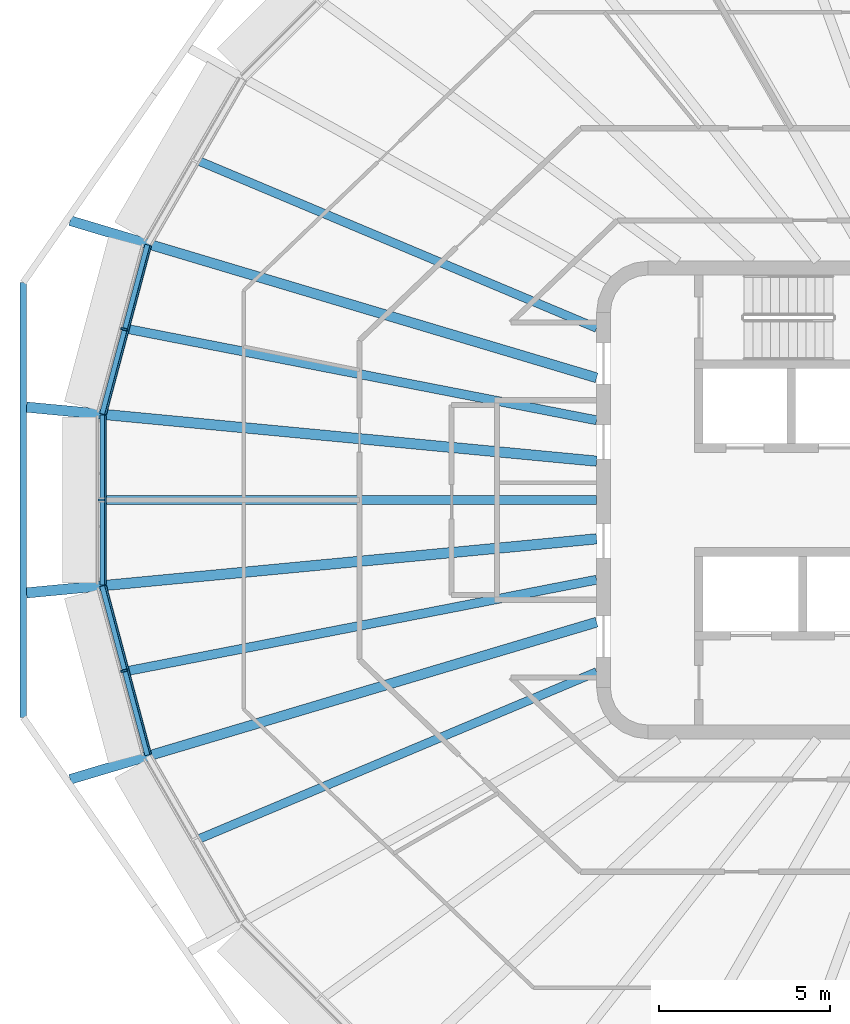
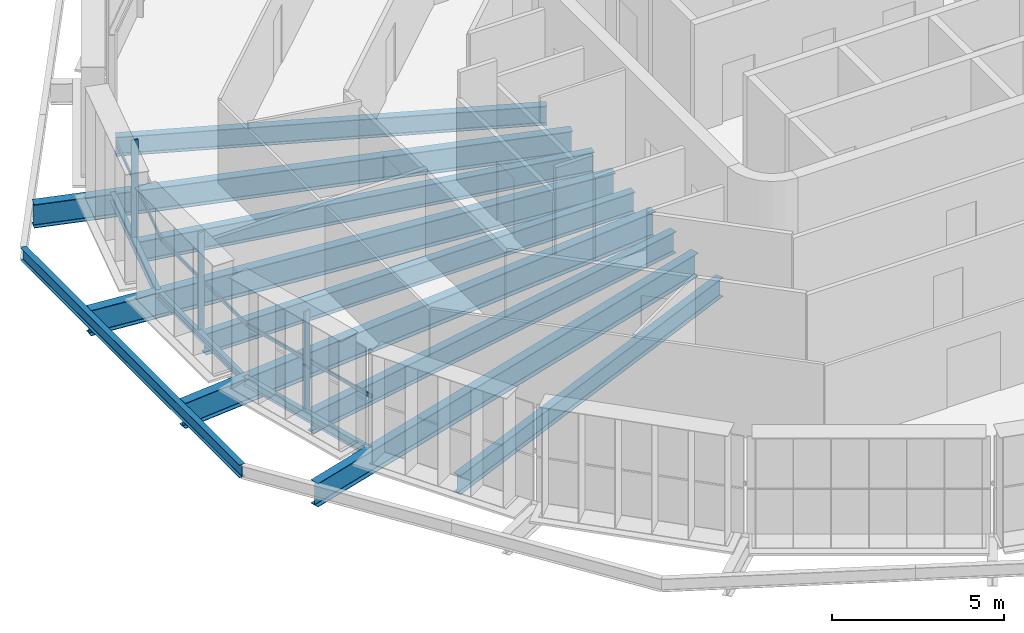
# One storey, part 3 of 21: 13 beams, 6 members, 3 elements without a shape of their own.
"""IFC4 building model written with IfcOpenShell, lengths in metres."""

import ifcopenshell
import ifcopenshell.guid

model = None  # the IFC model being written
_history = None  # IfcOwnerHistory: only IFC2X3 demands one
_inside = {}  # id of a spatial element -> (the spatial element, [elements in it])
_under = {}  # id of a project, library or spatial element -> (it, [spatial elements below it])
_declared = {}  # id of a project -> (the project, [libraries it declares])
_typed = {}  # id of a type object -> (the type object, [elements of that type])
_made_of = {}  # id of a material, layer set ... -> (it, [elements and type objects made of it])


def new_model(schema):
    """Start an empty IFC model of exactly this schema.

    Asked for "IFC4X3", IfcOpenShell would pick the latest addendum, in which some entities
    have other attributes; the version numbers below select the first issue.
    IFC2X3 requires an IfcOwnerHistory on every rooted entity: one is made here for all.
    """
    global model, _history
    if schema == "IFC4X3":
        model = ifcopenshell.file(schema_version=(4, 3, 0, 0))
    else:
        model = ifcopenshell.file(schema=schema)
    _inside.clear()
    _under.clear()
    _declared.clear()
    _typed.clear()
    _made_of.clear()
    _history = None
    if model.schema == "IFC2X3":
        org = make("IfcOrganization", Name="unknown")
        user = make(
            "IfcPersonAndOrganization",
            ThePerson=make("IfcPerson", FamilyName="unknown"),
            TheOrganization=org,
        )
        app = make(
            "IfcApplication",
            ApplicationDeveloper=org,
            Version="unknown",
            ApplicationFullName="unknown",
            ApplicationIdentifier="unknown",
        )
        _history = make(
            "IfcOwnerHistory",
            OwningUser=user,
            OwningApplication=app,
            ChangeAction="ADDED",
            CreationDate=0,
        )
    return model


def make(cls, **values):
    """One entity of the class cls with the attributes given. An attribute that is None is left unset."""
    return model.create_entity(
        cls, **{name: value for name, value in values.items() if value is not None}
    )


def rooted(cls, **values):
    """An entity with a GlobalId (a new one), such as an element, a storey or a relation."""
    return make(cls, GlobalId=ifcopenshell.guid.new(), OwnerHistory=_history, **values)


def si_unit(unit_type, name, prefix=None):
    """IfcSIUnit, for example si_unit("LENGTHUNIT", "METRE", prefix="MILLI")."""
    return make("IfcSIUnit", UnitType=unit_type, Prefix=prefix, Name=name)


def assignment(units):
    """IfcUnitAssignment: the units of a project."""
    return None if units is None else make("IfcUnitAssignment", Units=units)


def point(xyz):
    """IfcCartesianPoint."""
    return None if xyz is None else make("IfcCartesianPoint", Coordinates=xyz)


def direction(xyz):
    """IfcDirection."""
    return None if xyz is None else make("IfcDirection", DirectionRatios=xyz)


def frame(location, z_axis=None, x_axis=None):
    """IfcAxis2Placement3D, a coordinate frame: its origin and axes. An axis left out is left unset."""
    return make(
        "IfcAxis2Placement3D",
        Location=point(location),
        Axis=direction(z_axis),
        RefDirection=direction(x_axis),
    )


def frame_2d(location, x_axis=None):
    """IfcAxis2Placement2D, a coordinate frame in the plane: its origin and x axis."""
    return make(
        "IfcAxis2Placement2D", Location=point(location), RefDirection=direction(x_axis)
    )


def origin():
    """The frame at (0, 0, 0) with its axes left unset."""
    return frame((0.0, 0.0, 0.0))


def origin_2d():
    """The frame at (0, 0) in the plane with its x axis left unset."""
    return frame_2d((0.0, 0.0))


def place(relative_to, where):
    """IfcLocalPlacement: puts the frame where relative to a parent placement (None: the world)."""
    return make(
        "IfcLocalPlacement", PlacementRelTo=relative_to, RelativePlacement=where
    )


def context(
    kind, dimensions, precision=None, world=None, true_north=None, identifier=None
):
    """IfcGeometricRepresentationContext, for example the 3D "Model" context."""
    return make(
        "IfcGeometricRepresentationContext",
        ContextIdentifier=identifier,
        ContextType=kind,
        CoordinateSpaceDimension=dimensions,
        Precision=precision,
        WorldCoordinateSystem=world,
        TrueNorth=true_north,
    )


def subcontext(parent, identifier, kind, view, scale=None):
    """IfcGeometricRepresentationSubContext, for example "Body" below "Model"."""
    return make(
        "IfcGeometricRepresentationSubContext",
        ContextIdentifier=identifier,
        ContextType=kind,
        ParentContext=parent,
        TargetScale=scale,
        TargetView=view,
    )


def project(units=None, contexts=None):
    """IfcProject with its units and contexts."""
    return rooted(
        "IfcProject",
        Name="project",
        RepresentationContexts=contexts,
        UnitsInContext=assignment(units),
    )


def spatial(cls, under=None, at=None, **own):
    """A site, building, storey or space (cls), placed at a placement, below another one or the project."""
    s = rooted(cls, ObjectPlacement=at, **own)
    if under is not None:
        _under.setdefault(under.id(), (under, []))[1].append(s)
    return s


def profile(cls, at=None, kind="AREA", **sizes):
    """A parametric profile (cls). Its sizes go by their IFC names, for example OverallWidth=200.0."""
    return make(cls, ProfileType=kind, Position=at, **sizes)


def rectangle(**sizes):
    """IfcRectangleProfileDef."""
    return profile("IfcRectangleProfileDef", **sizes)


def i_section(**sizes):
    """IfcIShapeProfileDef."""
    return profile("IfcIShapeProfileDef", **sizes)


def extrude(swept, where, along, depth):
    """IfcExtrudedAreaSolid: the profile swept, set in the frame where, extruded along a direction by depth."""
    return make(
        "IfcExtrudedAreaSolid",
        SweptArea=swept,
        Position=where,
        ExtrudedDirection=direction(along),
        Depth=depth,
    )


def shape(context_of_items, identifier, shape_type, items):
    """IfcShapeRepresentation: the items that make up one representation, for example the "Body"."""
    return make(
        "IfcShapeRepresentation",
        ContextOfItems=context_of_items,
        RepresentationIdentifier=identifier,
        RepresentationType=shape_type,
        Items=items,
    )


def material(Name=None, Category=None):
    """IfcMaterial."""
    return make("IfcMaterial", Name=Name, Category=Category)


def layer(
    of_material, thickness, ventilated=None, Name=None, Category=None, Priority=None
):
    """IfcMaterialLayer: one layer of a wall or slab, of a material (None: an air gap)."""
    return make(
        "IfcMaterialLayer",
        Material=of_material,
        LayerThickness=thickness,
        IsVentilated=ventilated,
        Name=Name,
        Category=Category,
        Priority=Priority,
    )


def layer_set(layers, Name=None):
    """IfcMaterialLayerSet."""
    return make("IfcMaterialLayerSet", MaterialLayers=layers, LayerSetName=Name)


def material_profile(
    of_material, cross_section, Name=None, Category=None, Priority=None
):
    """IfcMaterialProfile: a cross section and its material."""
    return make(
        "IfcMaterialProfile",
        Name=Name,
        Material=of_material,
        Profile=cross_section,
        Priority=Priority,
        Category=Category,
    )


def profile_set(profiles, Name=None, composite=None):
    """IfcMaterialProfileSet."""
    return make(
        "IfcMaterialProfileSet",
        Name=Name,
        MaterialProfiles=profiles,
        CompositeProfile=composite,
    )


def made_of(thing, what):
    """Note that an element or type object is made of a material, layer set ...; save() writes the relation."""
    if what is not None:
        _made_of.setdefault(what.id(), (what, []))[1].append(thing)
    return thing


def type_object(cls, material=None, **own):
    """A type object (cls), such as IfcWallType, which elements share."""
    return made_of(rooted(cls, **own), material)


def element(
    cls,
    number,
    at=None,
    inside=None,
    cuts=None,
    type_object=None,
    material=None,
    context=None,
    identifier="Body",
    shape_type=None,
    held_by="IfcProductDefinitionShape",
    body=None,
    shapes=None,
    **own,
):
    """One element of the class cls, such as IfcWall. Its Tag is "e" and its number.

    at: its placement. inside: the storey or other place that contains it. cuts: it is an
    opening in that element (IfcRelVoidsElement). A single representation is given by context,
    identifier, shape_type and body (its items); several are given by shapes. held_by: the class
    of the entity that holds the representations. save() writes the other relations.
    """
    e = rooted(cls, Tag="e%d" % number, ObjectPlacement=at, **own)
    if body is not None:
        shapes = [shape(context, identifier, shape_type, body)]
    if shapes is not None:
        e.Representation = make(held_by, Representations=shapes)
    if inside is not None:
        _inside.setdefault(inside.id(), (inside, []))[1].append(e)
    if cuts is not None:
        rooted(
            "IfcRelVoidsElement", RelatingBuildingElement=cuts, RelatedOpeningElement=e
        )
    if type_object is not None:
        _typed.setdefault(type_object.id(), (type_object, []))[1].append(e)
    return made_of(e, material)


def aggregate(whole, parts):
    """IfcRelAggregates: a whole, such as a stair, and the parts it consists of."""
    return rooted("IfcRelAggregates", RelatingObject=whole, RelatedObjects=parts)


def save(model, path):
    """Write the relations noted so far, then the file.

    IfcRelAggregates (storeys below a building ...), IfcRelContainedInSpatialStructure (elements
    in a storey), IfcRelDefinesByType, IfcRelAssociatesMaterial and IfcRelDeclares: one each for
    every whole, place, type object, material and project.
    """
    for whole, parts in _under.values():
        aggregate(whole, parts)
    for where, things in _inside.values():
        rooted(
            "IfcRelContainedInSpatialStructure",
            RelatedElements=things,
            RelatingStructure=where,
        )
    for kind, things in _typed.values():
        rooted("IfcRelDefinesByType", RelatedObjects=things, RelatingType=kind)
    for what, things in _made_of.values():
        rooted("IfcRelAssociatesMaterial", RelatedObjects=things, RelatingMaterial=what)
    for by, libraries in _declared.values():
        rooted("IfcRelDeclares", RelatingContext=by, RelatedDefinitions=libraries)
    model.write(path)


model = new_model("IFC4")

# Units and contexts
model_context = context("Model", 3, precision=1e-05, world=origin(), true_north=direction((0.0, 1.0)))
body_context = subcontext(model_context, "Body", "Model", "MODEL_VIEW")
ifc_project = project(units=[si_unit("LENGTHUNIT", "METRE"), si_unit("AREAUNIT", "SQUARE_METRE"), si_unit("VOLUMEUNIT", "CUBIC_METRE"), si_unit("PLANEANGLEUNIT", "RADIAN"), si_unit("MASSUNIT", "GRAM", prefix="KILO")], contexts=[model_context])

# Site, building, storey
site_placement = place(None, origin())
site = spatial("IfcSite", under=ifc_project, at=site_placement, CompositionType="ELEMENT")
building_placement = place(site_placement, origin())
building = spatial("IfcBuilding", under=site, at=building_placement, Name="Sahrelin Media Tower", CompositionType="ELEMENT")
storey_placement = place(building_placement, frame((0.0, 0.0, 304.39990234375)))
storey = spatial("IfcBuildingStorey", under=building, at=storey_placement, Name="L67", CompositionType="ELEMENT", Elevation=304.39990234375)

# Beams
ifc_material_1 = material(Name="Steel S355", Category="steel")
ifc_material_profile_1 = material_profile(ifc_material_1, i_section(OverallWidth=0.14599609375, OverallDepth=0.25146484375, WebThickness=0.006103515625, FlangeThickness=0.008544921875, FilletRadius=0.007568359375, at=origin_2d()), Name="UB 254x146x31")
ifc_profile_set_1 = profile_set([ifc_material_profile_1], Name="Steel S355")
beam_type_1 = type_object("IfcBeamType", Name="Edge beam EB1", PredefinedType="BEAM", material=ifc_profile_set_1)
beam_1_placement = place(storey_placement, frame((-26.49365234375, -2.492919921875, -0.275634765625), z_axis=(0.0, 1.0, 0.0), x_axis=(-1.0, 0.0, 0.0)))
element("IfcBeam", 1, at=beam_1_placement, inside=storey, type_object=beam_type_1, Name="Edge beam L67-13", PredefinedType="BEAM", context=body_context, shape_type="SweptSolid", body=[
    extrude(i_section(OverallWidth=0.14599609375, OverallDepth=0.25146484375, WebThickness=0.006103515625, FlangeThickness=0.008544921875, FilletRadius=0.007568359375, at=origin_2d()), origin(), (0.0, 0.0, 1.0), 4.98583984375),
])
ifc_material_profile_2 = material_profile(ifc_material_1, i_section(OverallWidth=0.1650390625, OverallDepth=0.303466796875, WebThickness=0.006103515625, FlangeThickness=0.01025390625, FilletRadius=0.0087890625, at=origin_2d()), Name="UB 305x165x40")
ifc_profile_set_2 = profile_set([ifc_material_profile_2], Name="Steel S355")
beam_type_2 = type_object("IfcBeamType", Name="Edge beam EB2", PredefinedType="BEAM", material=ifc_profile_set_2)
for number, where, z_axis, x_axis, name in (
    (2, (-25.16162109375, -7.479248046875, -0.301513671875), (-0.258808205251, 0.965928730753, 0.0), (-0.965928730753, -0.258808205251, 0.0), "Edge beam L67-12"),
    (3, (-26.489990234375, 2.521484375, -0.301513671875), (0.258808205251, 0.965928730753, 0.0), (-0.965928730753, 0.258808205251, 0.0), "Edge beam L67-14"),
):
    element("IfcBeam", number, at=place(storey_placement, frame(where, z_axis=z_axis, x_axis=x_axis)), inside=storey, type_object=beam_type_2, Name=name, PredefinedType="BEAM", context=body_context, shape_type="SweptSolid", body=[
        extrude(i_section(OverallWidth=0.1650390625, OverallDepth=0.303466796875, WebThickness=0.006103515625, FlangeThickness=0.01025390625, FilletRadius=0.0087890625, at=origin_2d()), origin(), (0.0, 0.0, 1.0), 5.132568359375),
    ])

# Curtain wall, member
ifc_material_2 = material(Name="Champagne anodised aluminium 6063-T6", Category="aluminium")
ifc_layer = layer(ifc_material_2, 0.14990234375)
ifc_layer_set = layer_set([ifc_layer], Name="Tower ribbon curtain wall")
curtain_wall_type = type_object("IfcCurtainWallType", Name="Tower ribbon curtain wall", PredefinedType="NOTDEFINED", material=ifc_layer_set)
curtain_wall_1_placement = place(storey_placement, frame((-25.970703125, 5.039306640625, 0.0), z_axis=(0.0, 0.0, 1.0), x_axis=(1.0, 0.0, 0.0)))
curtain_wall_1 = element("IfcCurtainWall", 4, at=curtain_wall_1_placement, inside=storey, type_object=curtain_wall_type, Name="L67:CW:L67-11", PredefinedType="NOTDEFINED")
ifc_material_profile_3 = material_profile(ifc_material_2, rectangle(XDim=0.06005859375, YDim=0.199951171875, at=origin_2d()), Name="Mullion 60x200")
ifc_profile_set_3 = profile_set([ifc_material_profile_3], Name="Champagne anodised aluminium 6063-T6")
member_type_1 = type_object("IfcMemberType", Name="Mullion 60x200 CW1C", PredefinedType="MULLION", material=ifc_profile_set_3)
member_1_placement = place(storey_placement, frame((-25.854736328125, 5.008056640625, 0.0), z_axis=(0.0, 0.0, 1.0), x_axis=(-0.258815673384, -0.965926729732, 0.0)))
member_1 = element("IfcMember", 5, at=member_1_placement, type_object=member_type_1, Name="L67:CWM:L67-11", PredefinedType="MULLION", context=body_context, shape_type="SweptSolid", body=[
    extrude(rectangle(XDim=0.06005859375, YDim=0.199951171875, at=origin_2d()), origin(), (0.0, 0.0, 1.0), 3.44873046875),
])

curtain_wall_2_placement = place(storey_placement, frame((-26.643798828125, 0.0, 0.0), z_axis=(0.0, 0.0, 1.0), x_axis=(1.0, 0.0, 0.0)))
curtain_wall_2 = element("IfcCurtainWall", 6, at=curtain_wall_2_placement, inside=storey, type_object=curtain_wall_type, Name="L67:CW:L67-12", PredefinedType="NOTDEFINED")
member_2_placement = place(storey_placement, frame((-26.523681640625, 0.0, 0.0), z_axis=(0.0, 0.0, 1.0), x_axis=(0.0, -1.0, 0.0)))
member_2 = element("IfcMember", 7, at=member_2_placement, type_object=member_type_1, Name="L67:CWM:L67-12", PredefinedType="MULLION", context=body_context, shape_type="SweptSolid", body=[
    extrude(rectangle(XDim=0.06005859375, YDim=0.199951171875, at=origin_2d()), origin(), (0.0, 0.0, 1.0), 3.44873046875),
])

curtain_wall_3_placement = place(storey_placement, frame((-25.970703125, -5.039306640625, 0.0), z_axis=(0.0, 0.0, 1.0), x_axis=(1.0, 0.0, 0.0)))
curtain_wall_3 = element("IfcCurtainWall", 8, at=curtain_wall_3_placement, inside=storey, type_object=curtain_wall_type, Name="L67:CW:L67-13", PredefinedType="NOTDEFINED")
member_3_placement = place(storey_placement, frame((-25.854736328125, -5.008056640625, 0.0), z_axis=(0.0, 0.0, 1.0), x_axis=(0.258815673384, -0.965926729732, 0.0)))
member_3 = element("IfcMember", 9, at=member_3_placement, type_object=member_type_1, Name="L67:CWM:L67-13", PredefinedType="MULLION", context=body_context, shape_type="SweptSolid", body=[
    extrude(rectangle(XDim=0.06005859375, YDim=0.199951171875, at=origin_2d()), origin(), (0.0, 0.0, 1.0), 3.44873046875),
])

# Beams
ifc_material_profile_4 = material_profile(ifc_material_1, i_section(OverallWidth=0.291748046875, OverallDepth=0.8349609375, WebThickness=0.013916015625, FlangeThickness=0.018798828125, FilletRadius=0.017822265625, at=origin_2d()), Name="UB 838x292x176")
ifc_profile_set_4 = profile_set([ifc_material_profile_4], Name="Steel S355")
beam_type_3 = type_object("IfcBeamType", Name="Radial primary beam PB10", PredefinedType="BEAM", material=ifc_profile_set_4)
for number, where, z_axis, x_axis, name in (
    (10, (-12.0, 3.581787109375, -0.5673828125), (-0.958222547909, 0.286023685521, 0.0), (-0.286023685521, -0.958222547909, 0.0), "Radial beam L67-11"),
    (11, (-12.0, -3.581787109375, -0.5673828125), (-0.958222547909, -0.286023685521, 0.0), (0.286023685521, -0.958222547909, 0.0), "Radial beam L67-14"),
):
    element("IfcBeam", number, at=place(storey_placement, frame(where, z_axis=z_axis, x_axis=x_axis)), inside=storey, type_object=beam_type_3, Name=name, PredefinedType="BEAM", context=body_context, shape_type="SweptSolid", body=[
        extrude(i_section(OverallWidth=0.291748046875, OverallDepth=0.8349609375, WebThickness=0.013916015625, FlangeThickness=0.018798828125, FilletRadius=0.017822265625, at=origin_2d()), origin(), (0.0, 0.0, 1.0), 16.10595703125),
    ])
ifc_material_profile_5 = material_profile(ifc_material_1, i_section(OverallWidth=0.30322265625, OverallDepth=0.903076171875, WebThickness=0.01513671875, FlangeThickness=0.020263671875, FilletRadius=0.01904296875, at=origin_2d()), Name="UB 914x305x201")
ifc_profile_set_5 = profile_set([ifc_material_profile_5], Name="Steel S355")
beam_type_4 = type_object("IfcBeamType", Name="Radial primary beam PB11", PredefinedType="BEAM", material=ifc_profile_set_5)
for number, where, z_axis, x_axis, name in (
    (12, (-12.0, 1.13818359375, -0.601318359375), (-0.995531475678, 0.094430296701, 0.0), (-0.094430296701, -0.995531475678, 0.0), "Radial beam L67-12"),
    (13, (-12.0, -1.13818359375, -0.601318359375), (-0.995531475678, -0.094430296701, 0.0), (0.094430296701, -0.995531475678, 0.0), "Radial beam L67-13"),
):
    element("IfcBeam", number, at=place(storey_placement, frame(where, z_axis=z_axis, x_axis=x_axis)), inside=storey, type_object=beam_type_4, Name=name, PredefinedType="BEAM", context=body_context, shape_type="SweptSolid", body=[
        extrude(i_section(OverallWidth=0.30322265625, OverallDepth=0.903076171875, WebThickness=0.01513671875, FlangeThickness=0.020263671875, FilletRadius=0.01904296875, at=origin_2d()), origin(), (0.0, 0.0, 1.0), 16.78955078125),
    ])
ifc_material_profile_6 = material_profile(ifc_material_1, i_section(OverallWidth=0.2529296875, OverallDepth=0.677978515625, WebThickness=0.01171875, FlangeThickness=0.01611328125, FilletRadius=0.01513671875, at=origin_2d()), Name="UB 686x254x125")
ifc_profile_set_6 = profile_set([ifc_material_profile_6], Name="Steel S355")
beam_type_5 = type_object("IfcBeamType", Name="Radial secondary beam SB8", PredefinedType="BEAM", material=ifc_profile_set_6)
for number, where, z_axis, x_axis, name in (
    (14, (-12.0, 5.04052734375, -0.489013671875), (-0.921969553499, 0.38726236897, 0.0), (-0.38726236897, -0.921969553499, 0.0), "Secondary beam L67-10"),
    (15, (-12.0, -5.04052734375, -0.489013671875), (-0.921969553499, -0.38726236897, 0.0), (0.38726236897, -0.921969553499, 0.0), "Secondary beam L67-14"),
):
    element("IfcBeam", number, at=place(storey_placement, frame(where, z_axis=z_axis, x_axis=x_axis)), inside=storey, type_object=beam_type_5, Name=name, PredefinedType="BEAM", context=body_context, shape_type="SweptSolid", body=[
        extrude(i_section(OverallWidth=0.2529296875, OverallDepth=0.677978515625, WebThickness=0.01171875, FlangeThickness=0.01611328125, FilletRadius=0.01513671875, at=origin_2d()), origin(), (0.0, 0.0, 1.0), 12.638916015625),
    ])
ifc_material_profile_7 = material_profile(ifc_material_1, i_section(OverallWidth=0.26513671875, OverallDepth=0.75390625, WebThickness=0.0126953125, FlangeThickness=0.017578125, FilletRadius=0.0166015625, at=origin_2d()), Name="UB 762x267x147")
ifc_profile_set_7 = profile_set([ifc_material_profile_7], Name="Steel S355")
beam_type_6 = type_object("IfcBeamType", Name="Radial secondary beam SB9", PredefinedType="BEAM", material=ifc_profile_set_7)
beam_2_placement = place(storey_placement, frame((-12.0, 2.336669921875, -0.52685546875), z_axis=(-0.981563058453, 0.191138594431, 0.0), x_axis=(-0.191138594431, -0.981563058453, 0.0)))
element("IfcBeam", 16, at=beam_2_placement, inside=storey, type_object=beam_type_6, Name="Secondary beam L67-11", PredefinedType="BEAM", context=body_context, shape_type="SweptSolid", body=[
    extrude(i_section(OverallWidth=0.26513671875, OverallDepth=0.75390625, WebThickness=0.0126953125, FlangeThickness=0.017578125, FilletRadius=0.0166015625, at=origin_2d()), origin(), (0.0, 0.0, 1.0), 13.995361328125),
])
beam_3_placement = place(storey_placement, frame((-12.0, 0.0, -0.52685546875), z_axis=(-1.0, 0.0, 0.0), x_axis=(0.0, -1.0, 0.0)))
element("IfcBeam", 17, at=beam_3_placement, inside=storey, type_object=beam_type_6, Name="Secondary beam L67-12", PredefinedType="BEAM", context=body_context, shape_type="SweptSolid", body=[
    extrude(i_section(OverallWidth=0.26513671875, OverallDepth=0.75390625, WebThickness=0.0126953125, FlangeThickness=0.017578125, FilletRadius=0.0166015625, at=origin_2d()), origin(), (0.0, 0.0, 1.0), 14.420654296875),
])
beam_4_placement = place(storey_placement, frame((-12.0, -2.336669921875, -0.52685546875), z_axis=(-0.981563058453, -0.191138594431, 0.0), x_axis=(0.191138594431, -0.981563058453, 0.0)))
element("IfcBeam", 18, at=beam_4_placement, inside=storey, type_object=beam_type_6, Name="Secondary beam L67-13", PredefinedType="BEAM", context=body_context, shape_type="SweptSolid", body=[
    extrude(i_section(OverallWidth=0.26513671875, OverallDepth=0.75390625, WebThickness=0.0126953125, FlangeThickness=0.017578125, FilletRadius=0.0166015625, at=origin_2d()), origin(), (0.0, 0.0, 1.0), 13.995361328125),
])
ifc_material_profile_8 = material_profile(ifc_material_1, i_section(OverallWidth=0.1904296875, OverallDepth=0.45703125, WebThickness=0.009033203125, FlangeThickness=0.014404296875, FilletRadius=0.01025390625, at=origin_2d()), Name="UB 457x191x74")
ifc_profile_set_8 = profile_set([ifc_material_profile_8], Name="Steel S355")
beam_type_7 = type_object("IfcBeamType", Name="Tie chord TC5", PredefinedType="BEAM", material=ifc_profile_set_8)
beam_5_placement = place(storey_placement, frame((-28.809814453125, -6.3740234375, -0.37841796875), z_axis=(0.0, 1.0, 0.0), x_axis=(-1.0, 0.0, 0.0)))
element("IfcBeam", 19, at=beam_5_placement, inside=storey, type_object=beam_type_7, Name="Tie chord L67-11", PredefinedType="BEAM", context=body_context, shape_type="SweptSolid", body=[
    extrude(i_section(OverallWidth=0.1904296875, OverallDepth=0.45703125, WebThickness=0.009033203125, FlangeThickness=0.014404296875, FilletRadius=0.01025390625, at=origin_2d()), origin(), (0.0, 0.0, 1.0), 12.748046875),
])

# Member
ifc_material_profile_9 = material_profile(ifc_material_2, rectangle(XDim=0.050048828125, YDim=0.1201171875, at=origin_2d()), Name="Transom 50x120")
ifc_profile_set_9 = profile_set([ifc_material_profile_9], Name="Champagne anodised aluminium 6063-T6")
member_type_2 = type_object("IfcMemberType", Name="Transom 50x120 CW1C", PredefinedType="USERDEFINED", material=ifc_profile_set_9)
member_4_placement = place(storey_placement, frame((-25.073974609375, 7.439453125, 1.60009765625), z_axis=(-0.258785526747, -0.965934806882, 0.0), x_axis=(0.965934806882, -0.258785526747, 0.0)))
member_4 = element("IfcMember", 20, at=member_4_placement, type_object=member_type_2, Name="L67:CWT:L67-11", ObjectType="TRANSOM", PredefinedType="USERDEFINED", context=body_context, shape_type="SweptSolid", body=[
    extrude(rectangle(XDim=0.050048828125, YDim=0.1201171875, at=origin_2d()), origin(), (0.0, 0.0, 1.0), 5.10107421875),
])

aggregate(curtain_wall_1, [member_1, member_4])

member_5_placement = place(storey_placement, frame((-26.398681640625, 2.477294921875, 1.60009765625), z_axis=(0.0, -1.0, 0.0), x_axis=(1.0, 0.0, 0.0)))
member_5 = element("IfcMember", 21, at=member_5_placement, type_object=member_type_2, Name="L67:CWT:L67-12", ObjectType="TRANSOM", PredefinedType="USERDEFINED", context=body_context, shape_type="SweptSolid", body=[
    extrude(rectangle(XDim=0.050048828125, YDim=0.1201171875, at=origin_2d()), origin(), (0.0, 0.0, 1.0), 4.95458984375),
])

aggregate(curtain_wall_2, [member_2, member_5])

member_6_placement = place(storey_placement, frame((-26.39404296875, -2.51220703125, 1.60009765625), z_axis=(0.258785526747, -0.965934806882, 0.0), x_axis=(0.965934806882, 0.258785526747, 0.0)))
member_6 = element("IfcMember", 22, at=member_6_placement, type_object=member_type_2, Name="L67:CWT:L67-13", ObjectType="TRANSOM", PredefinedType="USERDEFINED", context=body_context, shape_type="SweptSolid", body=[
    extrude(rectangle(XDim=0.050048828125, YDim=0.1201171875, at=origin_2d()), origin(), (0.0, 0.0, 1.0), 5.10107421875),
])

aggregate(curtain_wall_3, [member_3, member_6])

save(model, "model.ifc")
